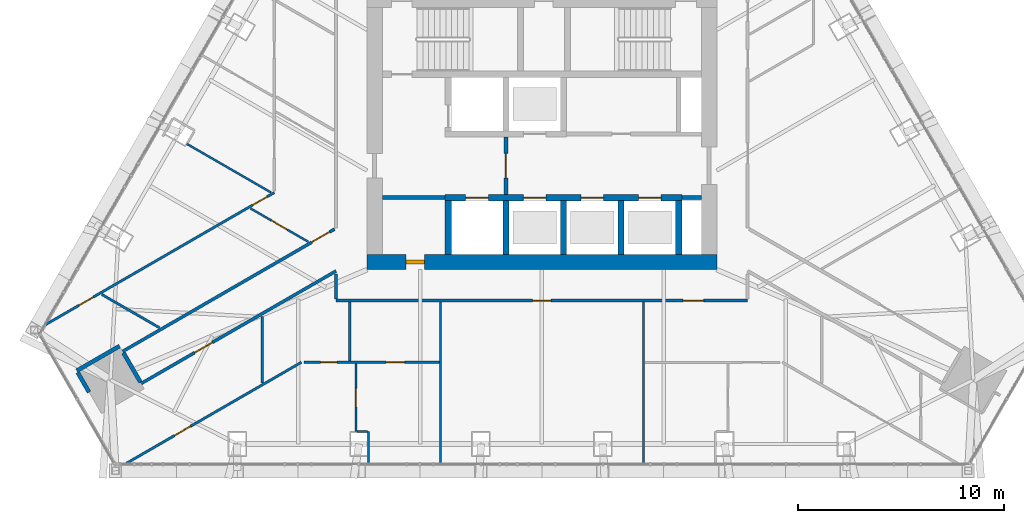
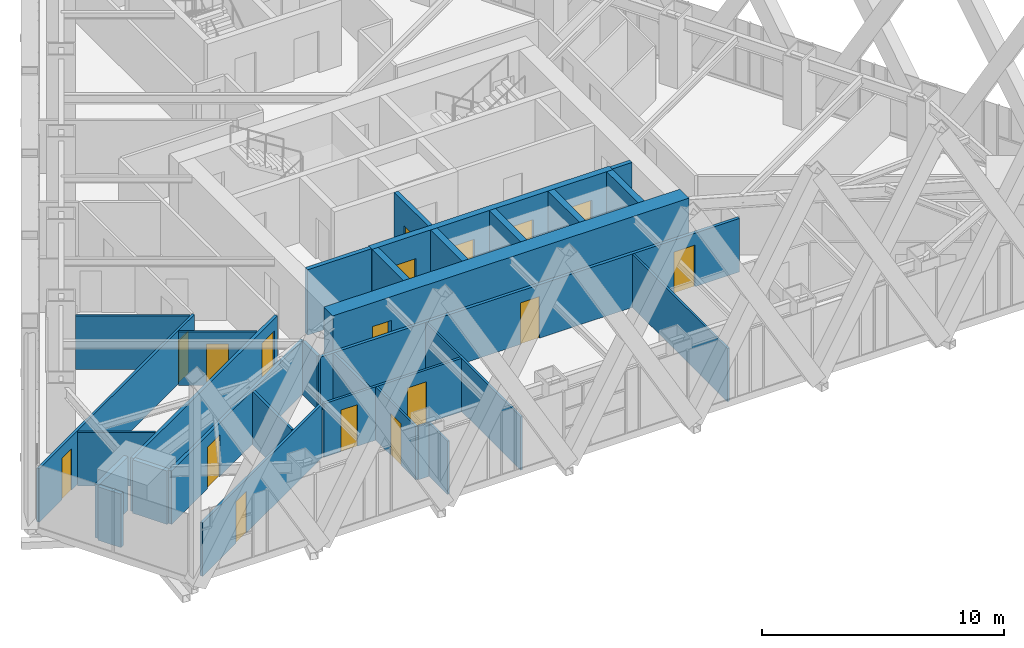
# One storey, part 18 of 23: 30 walls, 17 doors, 17 openings.
"""IFC4 building model written with IfcOpenShell, lengths in metres."""

import ifcopenshell
import ifcopenshell.guid

model = None  # the IFC model being written
_history = None  # IfcOwnerHistory: only IFC2X3 demands one
_inside = {}  # id of a spatial element -> (the spatial element, [elements in it])
_under = {}  # id of a project, library or spatial element -> (it, [spatial elements below it])
_declared = {}  # id of a project -> (the project, [libraries it declares])
_typed = {}  # id of a type object -> (the type object, [elements of that type])
_made_of = {}  # id of a material, layer set ... -> (it, [elements and type objects made of it])


def new_model(schema):
    """Start an empty IFC model of exactly this schema.

    Asked for "IFC4X3", IfcOpenShell would pick the latest addendum, in which some entities
    have other attributes; the version numbers below select the first issue.
    IFC2X3 requires an IfcOwnerHistory on every rooted entity: one is made here for all.
    """
    global model, _history
    if schema == "IFC4X3":
        model = ifcopenshell.file(schema_version=(4, 3, 0, 0))
    else:
        model = ifcopenshell.file(schema=schema)
    _inside.clear()
    _under.clear()
    _declared.clear()
    _typed.clear()
    _made_of.clear()
    _history = None
    if model.schema == "IFC2X3":
        org = make("IfcOrganization", Name="unknown")
        user = make(
            "IfcPersonAndOrganization",
            ThePerson=make("IfcPerson", FamilyName="unknown"),
            TheOrganization=org,
        )
        app = make(
            "IfcApplication",
            ApplicationDeveloper=org,
            Version="unknown",
            ApplicationFullName="unknown",
            ApplicationIdentifier="unknown",
        )
        _history = make(
            "IfcOwnerHistory",
            OwningUser=user,
            OwningApplication=app,
            ChangeAction="ADDED",
            CreationDate=0,
        )
    return model


def make(cls, **values):
    """One entity of the class cls with the attributes given. An attribute that is None is left unset."""
    return model.create_entity(
        cls, **{name: value for name, value in values.items() if value is not None}
    )


def rooted(cls, **values):
    """An entity with a GlobalId (a new one), such as an element, a storey or a relation."""
    return make(cls, GlobalId=ifcopenshell.guid.new(), OwnerHistory=_history, **values)


def si_unit(unit_type, name, prefix=None):
    """IfcSIUnit, for example si_unit("LENGTHUNIT", "METRE", prefix="MILLI")."""
    return make("IfcSIUnit", UnitType=unit_type, Prefix=prefix, Name=name)


def assignment(units):
    """IfcUnitAssignment: the units of a project."""
    return None if units is None else make("IfcUnitAssignment", Units=units)


def point(xyz):
    """IfcCartesianPoint."""
    return None if xyz is None else make("IfcCartesianPoint", Coordinates=xyz)


def direction(xyz):
    """IfcDirection."""
    return None if xyz is None else make("IfcDirection", DirectionRatios=xyz)


def frame(location, z_axis=None, x_axis=None):
    """IfcAxis2Placement3D, a coordinate frame: its origin and axes. An axis left out is left unset."""
    return make(
        "IfcAxis2Placement3D",
        Location=point(location),
        Axis=direction(z_axis),
        RefDirection=direction(x_axis),
    )


def frame_2d(location, x_axis=None):
    """IfcAxis2Placement2D, a coordinate frame in the plane: its origin and x axis."""
    return make(
        "IfcAxis2Placement2D", Location=point(location), RefDirection=direction(x_axis)
    )


def origin():
    """The frame at (0, 0, 0) with its axes left unset."""
    return frame((0.0, 0.0, 0.0))


def place(relative_to, where):
    """IfcLocalPlacement: puts the frame where relative to a parent placement (None: the world)."""
    return make(
        "IfcLocalPlacement", PlacementRelTo=relative_to, RelativePlacement=where
    )


def context(
    kind, dimensions, precision=None, world=None, true_north=None, identifier=None
):
    """IfcGeometricRepresentationContext, for example the 3D "Model" context."""
    return make(
        "IfcGeometricRepresentationContext",
        ContextIdentifier=identifier,
        ContextType=kind,
        CoordinateSpaceDimension=dimensions,
        Precision=precision,
        WorldCoordinateSystem=world,
        TrueNorth=true_north,
    )


def subcontext(parent, identifier, kind, view, scale=None):
    """IfcGeometricRepresentationSubContext, for example "Body" below "Model"."""
    return make(
        "IfcGeometricRepresentationSubContext",
        ContextIdentifier=identifier,
        ContextType=kind,
        ParentContext=parent,
        TargetScale=scale,
        TargetView=view,
    )


def project(units=None, contexts=None):
    """IfcProject with its units and contexts."""
    return rooted(
        "IfcProject",
        Name="project",
        RepresentationContexts=contexts,
        UnitsInContext=assignment(units),
    )


def spatial(cls, under=None, at=None, **own):
    """A site, building, storey or space (cls), placed at a placement, below another one or the project."""
    s = rooted(cls, ObjectPlacement=at, **own)
    if under is not None:
        _under.setdefault(under.id(), (under, []))[1].append(s)
    return s


def profile(cls, at=None, kind="AREA", **sizes):
    """A parametric profile (cls). Its sizes go by their IFC names, for example OverallWidth=200.0."""
    return make(cls, ProfileType=kind, Position=at, **sizes)


def rectangle(**sizes):
    """IfcRectangleProfileDef."""
    return profile("IfcRectangleProfileDef", **sizes)


def extrude(swept, where, along, depth):
    """IfcExtrudedAreaSolid: the profile swept, set in the frame where, extruded along a direction by depth."""
    return make(
        "IfcExtrudedAreaSolid",
        SweptArea=swept,
        Position=where,
        ExtrudedDirection=direction(along),
        Depth=depth,
    )


def shape(context_of_items, identifier, shape_type, items):
    """IfcShapeRepresentation: the items that make up one representation, for example the "Body"."""
    return make(
        "IfcShapeRepresentation",
        ContextOfItems=context_of_items,
        RepresentationIdentifier=identifier,
        RepresentationType=shape_type,
        Items=items,
    )


def material(Name=None, Category=None):
    """IfcMaterial."""
    return make("IfcMaterial", Name=Name, Category=Category)


def layer(
    of_material, thickness, ventilated=None, Name=None, Category=None, Priority=None
):
    """IfcMaterialLayer: one layer of a wall or slab, of a material (None: an air gap)."""
    return make(
        "IfcMaterialLayer",
        Material=of_material,
        LayerThickness=thickness,
        IsVentilated=ventilated,
        Name=Name,
        Category=Category,
        Priority=Priority,
    )


def layer_set(layers, Name=None):
    """IfcMaterialLayerSet."""
    return make("IfcMaterialLayerSet", MaterialLayers=layers, LayerSetName=Name)


def made_of(thing, what):
    """Note that an element or type object is made of a material, layer set ...; save() writes the relation."""
    if what is not None:
        _made_of.setdefault(what.id(), (what, []))[1].append(thing)
    return thing


def type_object(cls, material=None, **own):
    """A type object (cls), such as IfcWallType, which elements share."""
    return made_of(rooted(cls, **own), material)


def element(
    cls,
    number,
    at=None,
    inside=None,
    cuts=None,
    type_object=None,
    material=None,
    context=None,
    identifier="Body",
    shape_type=None,
    held_by="IfcProductDefinitionShape",
    body=None,
    shapes=None,
    **own,
):
    """One element of the class cls, such as IfcWall. Its Tag is "e" and its number.

    at: its placement. inside: the storey or other place that contains it. cuts: it is an
    opening in that element (IfcRelVoidsElement). A single representation is given by context,
    identifier, shape_type and body (its items); several are given by shapes. held_by: the class
    of the entity that holds the representations. save() writes the other relations.
    """
    e = rooted(cls, Tag="e%d" % number, ObjectPlacement=at, **own)
    if body is not None:
        shapes = [shape(context, identifier, shape_type, body)]
    if shapes is not None:
        e.Representation = make(held_by, Representations=shapes)
    if inside is not None:
        _inside.setdefault(inside.id(), (inside, []))[1].append(e)
    if cuts is not None:
        rooted(
            "IfcRelVoidsElement", RelatingBuildingElement=cuts, RelatedOpeningElement=e
        )
    if type_object is not None:
        _typed.setdefault(type_object.id(), (type_object, []))[1].append(e)
    return made_of(e, material)


def fill(opening, filler):
    """IfcRelFillsElement: the door or window that sits in an opening."""
    return rooted(
        "IfcRelFillsElement",
        RelatingOpeningElement=opening,
        RelatedBuildingElement=filler,
    )


def aggregate(whole, parts):
    """IfcRelAggregates: a whole, such as a stair, and the parts it consists of."""
    return rooted("IfcRelAggregates", RelatingObject=whole, RelatedObjects=parts)


def save(model, path):
    """Write the relations noted so far, then the file.

    IfcRelAggregates (storeys below a building ...), IfcRelContainedInSpatialStructure (elements
    in a storey), IfcRelDefinesByType, IfcRelAssociatesMaterial and IfcRelDeclares: one each for
    every whole, place, type object, material and project.
    """
    for whole, parts in _under.values():
        aggregate(whole, parts)
    for where, things in _inside.values():
        rooted(
            "IfcRelContainedInSpatialStructure",
            RelatedElements=things,
            RelatingStructure=where,
        )
    for kind, things in _typed.values():
        rooted("IfcRelDefinesByType", RelatedObjects=things, RelatingType=kind)
    for what, things in _made_of.values():
        rooted("IfcRelAssociatesMaterial", RelatedObjects=things, RelatingMaterial=what)
    for by, libraries in _declared.values():
        rooted("IfcRelDeclares", RelatingContext=by, RelatedDefinitions=libraries)
    model.write(path)


model = new_model("IFC4")

# Units and contexts
model_context = context("Model", 3, precision=1e-05, world=origin(), true_north=direction((0.0, 1.0)))
body_context = subcontext(model_context, "Body", "Model", "MODEL_VIEW")
ifc_project = project(units=[si_unit("LENGTHUNIT", "METRE"), si_unit("AREAUNIT", "SQUARE_METRE"), si_unit("VOLUMEUNIT", "CUBIC_METRE"), si_unit("PLANEANGLEUNIT", "RADIAN"), si_unit("MASSUNIT", "GRAM", prefix="KILO")], contexts=[model_context])

# Site, building, storey
site_placement = place(None, origin())
site = spatial("IfcSite", under=ifc_project, at=site_placement, CompositionType="ELEMENT")
building_placement = place(site_placement, origin())
building = spatial("IfcBuilding", under=site, at=building_placement, Name="Firuza Gate Tower and Library", CompositionType="ELEMENT")
storey_placement = place(building_placement, frame((0.0, 0.0, 312.60009765625)))
storey = spatial("IfcBuildingStorey", under=building, at=storey_placement, Name="L76", CompositionType="ELEMENT", Elevation=312.60009765625)

# Walls
ifc_material_1 = material(Name="Plasterboard on steel studs", Category="steel")
ifc_layer_1 = layer(ifc_material_1, 0.199951171875)
ifc_layer_set_1 = layer_set([ifc_layer_1], Name="Core partition 200 EI 120")
wall_type_1 = type_object("IfcWallType", Name="Core partition 200 EI 120", PredefinedType="PARTITIONING", material=ifc_layer_set_1)
wall_1_placement = place(storey_placement, frame((81.800048828125, 71.75, 0.0), z_axis=(0.0, 0.0, 1.0), x_axis=(1.0, 0.0, 0.0)))
element("IfcWall", 1, at=wall_1_placement, inside=storey, type_object=wall_type_1, Name="Core partition L76 2", PredefinedType="PARTITIONING", context=body_context, shape_type="SweptSolid", body=[
    extrude(rectangle(XDim=0.949951171875, YDim=0.199951171875, at=frame_2d((0.47509765625, 0.0))), origin(), (0.0, 0.0, 1.0), 3.2998046875),
])
ifc_material_2 = material(Name="Plasterboard on steel studs", Category="steel")
ifc_layer_2 = layer(ifc_material_2, 0.199951171875)
ifc_layer_set_2 = layer_set([ifc_layer_2], Name="Core partition 200 EI 60")
wall_type_2 = type_object("IfcWallType", Name="Core partition 200 EI 60", PredefinedType="PARTITIONING", material=ifc_layer_set_2)
wall_2_placement = place(storey_placement, frame((67.25, 71.75, 0.0), z_axis=(0.0, 0.0, 1.0), x_axis=(1.0, 0.0, 0.0)))
element("IfcWall", 2, at=wall_2_placement, inside=storey, type_object=wall_type_2, Name="Core partition L76 1", PredefinedType="PARTITIONING", context=body_context, shape_type="SweptSolid", body=[
    extrude(rectangle(XDim=3.050048828125, YDim=0.199951171875, at=frame_2d((1.52490234375, 0.0))), origin(), (0.0, 0.0, 1.0), 3.2998046875),
])

# Wall, opening, door
wall_3_placement = place(storey_placement, frame((73.25, 71.89990234375, 0.0), z_axis=(0.0, 0.0, 1.0), x_axis=(0.0, 1.0, 0.0)))
wall_3 = element("IfcWall", 3, at=wall_3_placement, inside=storey, type_object=wall_type_2, Name="Core partition L76 4", PredefinedType="PARTITIONING", context=body_context, shape_type="SweptSolid", body=[
    extrude(rectangle(XDim=2.800048828125, YDim=0.199951171875, at=frame_2d((1.39990234375, 0.0))), origin(), (0.0, 0.0, 1.0), 3.2998046875),
])
opening_1_placement = place(wall_3_placement, frame((0.800048828125, 0.0, 0.0)))
opening_1 = element("IfcOpeningElement", 4, at=opening_1_placement, cuts=wall_3, Name="Opening L76-K14", PredefinedType="OPENING", context=body_context, shape_type="SweptSolid", body=[
    extrude(rectangle(XDim=1.199951171875, YDim=2.10009765625, at=frame_2d((0.60009765625, 1.050048828125))), frame((0.0, 0.10986328125, 0.0), z_axis=(0.0, -1.0, 0.0), x_axis=(1.0, 0.0, 0.0)), (0.0, 0.0, 1.0), 0.219970703125),
])
ifc_material_3 = material(Name="Steel", Category="steel")
door_type_1 = type_object("IfcDoorType", Name="Fire door 1200x2100 FD90S", OperationType="NOTDEFINED", PredefinedType="DOOR", material=ifc_material_3)
door_1_placement = place(opening_1_placement, origin())
door_1 = element("IfcDoor", 5, at=door_1_placement, inside=storey, type_object=door_type_1, Name="Door L76-K14", OperationType="SINGLE_SWING_LEFT", OverallHeight=2.10009765625, OverallWidth=1.199951171875, PredefinedType="DOOR", context=body_context, shape_type="SweptSolid", body=[
    extrude(rectangle(XDim=1.199951171875, YDim=2.10009765625, at=frame_2d((0.60009765625, 1.050048828125))), frame((0.0, 0.02490234375, 0.0), z_axis=(0.0, -1.0, 0.0), x_axis=(1.0, 0.0, 0.0)), (0.0, 0.0, 1.0), 0.050048828125),
])
fill(opening_1, door_1)

# Wall, openings, doors
ifc_material_4 = material(Name="Concrete C60/75", Category="concrete")
ifc_layer_3 = layer(ifc_material_4, 0.300048828125)
ifc_layer_set_3 = layer_set([ifc_layer_3], Name="Core wall 300 C60/75")
wall_type_3 = type_object("IfcWallType", Name="Core wall 300 C60/75", PredefinedType="SHEAR", material=ifc_layer_set_3)
wall_4_placement = place(storey_placement, frame((70.300048828125, 71.75, 0.0), z_axis=(0.0, 0.0, 1.0), x_axis=(1.0, 0.0, 0.0)))
wall_4 = element("IfcWall", 6, at=wall_4_placement, inside=storey, type_object=wall_type_3, Name="Core wall L76 5", PredefinedType="SHEAR", context=body_context, shape_type="SweptSolid", body=[
    extrude(rectangle(XDim=11.5, YDim=0.300048828125, at=frame_2d((5.75, 0.0))), origin(), (0.0, 0.0, 1.0), 3.2998046875),
])
opening_2_placement = place(wall_4_placement, frame((1.0, 0.0, 0.0)))
opening_2 = element("IfcOpeningElement", 7, at=opening_2_placement, cuts=wall_4, Name="Opening LD-FF1-L76", PredefinedType="OPENING", context=body_context, shape_type="SweptSolid", body=[
    extrude(rectangle(XDim=1.10009765625, YDim=2.10009765625, at=frame_2d((0.550048828125, 1.050048828125))), frame((0.0, 0.16015625, 0.0), z_axis=(0.0, -1.0, 0.0), x_axis=(1.0, 0.0, 0.0)), (0.0, 0.0, 1.0), 0.320068359375),
])
opening_3_placement = place(wall_4_placement, frame((3.800048828125, 0.0, 0.0)))
opening_3 = element("IfcOpeningElement", 8, at=opening_3_placement, cuts=wall_4, Name="Opening LD-HR1-L76", PredefinedType="OPENING", context=body_context, shape_type="SweptSolid", body=[
    extrude(rectangle(XDim=1.10009765625, YDim=2.10009765625, at=frame_2d((0.550048828125, 1.050048828125))), frame((0.0, 0.16015625, 0.0), z_axis=(0.0, -1.0, 0.0), x_axis=(1.0, 0.0, 0.0)), (0.0, 0.0, 1.0), 0.320068359375),
])
opening_4_placement = place(wall_4_placement, frame((6.60009765625, 0.0, 0.0)))
opening_4 = element("IfcOpeningElement", 9, at=opening_4_placement, cuts=wall_4, Name="Opening LD-HR2-L76", PredefinedType="OPENING", context=body_context, shape_type="SweptSolid", body=[
    extrude(rectangle(XDim=1.10009765625, YDim=2.10009765625, at=frame_2d((0.550048828125, 1.050048828125))), frame((0.0, 0.16015625, 0.0), z_axis=(0.0, -1.0, 0.0), x_axis=(1.0, 0.0, 0.0)), (0.0, 0.0, 1.0), 0.320068359375),
])
opening_5_placement = place(wall_4_placement, frame((9.39990234375, 0.0, 0.0)))
opening_5 = element("IfcOpeningElement", 10, at=opening_5_placement, cuts=wall_4, Name="Opening LD-HR3-L76", PredefinedType="OPENING", context=body_context, shape_type="SweptSolid", body=[
    extrude(rectangle(XDim=1.10009765625, YDim=2.10009765625, at=frame_2d((0.550048828125, 1.050048828125))), frame((0.0, 0.16015625, 0.0), z_axis=(0.0, -1.0, 0.0), x_axis=(1.0, 0.0, 0.0)), (0.0, 0.0, 1.0), 0.320068359375),
])
ifc_material_5 = material(Name="Stainless steel", Category="steel")
door_type_2 = type_object("IfcDoorType", Name="Lift landing door 1100x2100", OperationType="DOUBLE_DOOR_SLIDING", PredefinedType="DOOR", material=ifc_material_5)
door_2_placement = place(opening_2_placement, origin())
door_2 = element("IfcDoor", 11, at=door_2_placement, inside=storey, type_object=door_type_2, Name="Landing door FF1 L76", OperationType="DOUBLE_DOOR_SLIDING", OverallHeight=2.10009765625, OverallWidth=1.10009765625, PredefinedType="DOOR", context=body_context, shape_type="SweptSolid", body=[
    extrude(rectangle(XDim=1.10009765625, YDim=2.10009765625, at=frame_2d((0.550048828125, 1.050048828125))), frame((0.0, 0.02490234375, 0.0), z_axis=(0.0, -1.0, 0.0), x_axis=(1.0, 0.0, 0.0)), (0.0, 0.0, 1.0), 0.050048828125),
])
fill(opening_2, door_2)
door_3_placement = place(opening_3_placement, origin())
door_3 = element("IfcDoor", 12, at=door_3_placement, inside=storey, type_object=door_type_2, Name="Landing door HR1 L76", OperationType="DOUBLE_DOOR_SLIDING", OverallHeight=2.10009765625, OverallWidth=1.10009765625, PredefinedType="DOOR", context=body_context, shape_type="SweptSolid", body=[
    extrude(rectangle(XDim=1.10009765625, YDim=2.10009765625, at=frame_2d((0.550048828125, 1.050048828125))), frame((0.0, 0.02490234375, 0.0), z_axis=(0.0, -1.0, 0.0), x_axis=(1.0, 0.0, 0.0)), (0.0, 0.0, 1.0), 0.050048828125),
])
fill(opening_3, door_3)
door_4_placement = place(opening_4_placement, origin())
door_4 = element("IfcDoor", 13, at=door_4_placement, inside=storey, type_object=door_type_2, Name="Landing door HR2 L76", OperationType="DOUBLE_DOOR_SLIDING", OverallHeight=2.10009765625, OverallWidth=1.10009765625, PredefinedType="DOOR", context=body_context, shape_type="SweptSolid", body=[
    extrude(rectangle(XDim=1.10009765625, YDim=2.10009765625, at=frame_2d((0.550048828125, 1.050048828125))), frame((0.0, 0.02490234375, 0.0), z_axis=(0.0, -1.0, 0.0), x_axis=(1.0, 0.0, 0.0)), (0.0, 0.0, 1.0), 0.050048828125),
])
fill(opening_4, door_4)
door_5_placement = place(opening_5_placement, origin())
door_5 = element("IfcDoor", 14, at=door_5_placement, inside=storey, type_object=door_type_2, Name="Landing door HR3 L76", OperationType="DOUBLE_DOOR_SLIDING", OverallHeight=2.10009765625, OverallWidth=1.10009765625, PredefinedType="DOOR", context=body_context, shape_type="SweptSolid", body=[
    extrude(rectangle(XDim=1.10009765625, YDim=2.10009765625, at=frame_2d((0.550048828125, 1.050048828125))), frame((0.0, 0.02490234375, 0.0), z_axis=(0.0, -1.0, 0.0), x_axis=(1.0, 0.0, 0.0)), (0.0, 0.0, 1.0), 0.050048828125),
])
fill(opening_5, door_5)

# Walls
for number, where, z_axis, x_axis, name in (
    (15, (70.449951171875, 69.0, 0.0), (0.0, 0.0, 1.0), (0.0, 1.0, 0.0), "Core wall L76 7"),
    (16, (73.25, 69.0, 0.0), (0.0, 0.0, 1.0), (0.0, 1.0, 0.0), "Core wall L76 9"),
    (17, (76.050048828125, 69.0, 0.0), (0.0, 0.0, 1.0), (0.0, 1.0, 0.0), "Core wall L76 11"),
    (18, (78.85009765625, 69.0, 0.0), (0.0, 0.0, 1.0), (0.0, 1.0, 0.0), "Core wall L76 13"),
    (19, (81.64990234375, 69.0, 0.0), (0.0, 0.0, 1.0), (0.0, 1.0, 0.0), "Core wall L76 14"),
):
    element("IfcWall", number, at=place(storey_placement, frame(where, z_axis=z_axis, x_axis=x_axis)), inside=storey, type_object=wall_type_3, Name=name, PredefinedType="SHEAR", context=body_context, shape_type="SweptSolid", body=[
        extrude(rectangle(XDim=2.60009765625, YDim=0.300048828125, at=frame_2d((1.300048828125, 0.0))), origin(), (0.0, 0.0, 1.0), 3.2998046875),
    ])

# Wall, opening, door
ifc_material_6 = material(Name="Concrete C60/75", Category="concrete")
ifc_layer_4 = layer(ifc_material_6, 0.75)
ifc_layer_set_4 = layer_set([ifc_layer_4], Name="Core wall 750 C60/75")
wall_type_4 = type_object("IfcWallType", Name="Core wall 750 C60/75", PredefinedType="SHEAR", material=ifc_layer_set_4)
wall_5_placement = place(storey_placement, frame((66.5, 68.625, 0.0), z_axis=(0.0, 0.0, 1.0), x_axis=(1.0, 0.0, 0.0)))
wall_5 = element("IfcWall", 20, at=wall_5_placement, inside=storey, type_object=wall_type_4, Name="Core wall L76 1", PredefinedType="SHEAR", context=body_context, shape_type="SweptSolid", body=[
    extrude(rectangle(XDim=17.0, YDim=0.75, at=frame_2d((8.5, 0.0))), origin(), (0.0, 0.0, 1.0), 3.2998046875),
])
opening_6_placement = place(wall_5_placement, frame((1.89990234375, 0.0, 0.0)))
opening_6 = element("IfcOpeningElement", 21, at=opening_6_placement, cuts=wall_5, Name="Opening L76-K17", PredefinedType="OPENING", context=body_context, shape_type="SweptSolid", body=[
    extrude(rectangle(XDim=0.89990234375, YDim=2.10009765625, at=frame_2d((0.449951171875, 1.050048828125))), frame((0.0, 0.385009765625, 0.0), z_axis=(0.0, -1.0, 0.0), x_axis=(1.0, 0.0, 0.0)), (0.0, 0.0, 1.0), 0.77001953125),
])
ifc_material_7 = material(Name="Steel", Category="steel")
door_type_3 = type_object("IfcDoorType", Name="Fire door 900x2100 FD30S", OperationType="NOTDEFINED", PredefinedType="DOOR", material=ifc_material_7)
door_6_placement = place(opening_6_placement, origin())
door_6 = element("IfcDoor", 22, at=door_6_placement, inside=storey, type_object=door_type_3, Name="Door L76-K17", OperationType="SINGLE_SWING_RIGHT", OverallHeight=2.10009765625, OverallWidth=0.89990234375, PredefinedType="DOOR", context=body_context, shape_type="SweptSolid", body=[
    extrude(rectangle(XDim=0.89990234375, YDim=2.10009765625, at=frame_2d((0.449951171875, 1.050048828125))), frame((0.0, 0.094970703125, 0.0), z_axis=(0.0, -1.0, 0.0), x_axis=(1.0, 0.0, 0.0)), (0.0, 0.0, 1.0), 0.18994140625),
])
fill(opening_6, door_6)

# Wall, openings, doors
ifc_material_8 = material(Name="Gypsum board partition")
ifc_layer_5 = layer(ifc_material_8, 0.14990234375)
ifc_layer_set_5 = layer_set([ifc_layer_5], Name="Corridor wall 150 double board on steel studs")
wall_type_5 = type_object("IfcWallType", Name="Corridor wall 150 double board on steel studs", PredefinedType="PARTITIONING", material=ifc_layer_set_5)
wall_6_placement = place(storey_placement, frame((85.0, 66.75, 0.0), z_axis=(0.0, 0.0, 1.0), x_axis=(-1.0, 0.0, 0.0)))
wall_6 = element("IfcWall", 23, at=wall_6_placement, inside=storey, type_object=wall_type_5, Name="f:L76:w004", PredefinedType="PARTITIONING", context=body_context, shape_type="SweptSolid", body=[
    extrude(rectangle(XDim=20.0, YDim=0.14990234375, at=frame_2d((10.0, 0.0))), origin(), (0.0, 0.0, 1.0), 2.699951171875),
])
opening_7_placement = place(wall_6_placement, frame((2.134765625, 0.0, 0.0)))
opening_7 = element("IfcOpeningElement", 24, at=opening_7_placement, cuts=wall_6, Name="Opening L76-04", PredefinedType="OPENING", context=body_context, shape_type="SweptSolid", body=[
    extrude(rectangle(XDim=1.0, YDim=2.10009765625, at=frame_2d((0.5, 1.050048828125))), frame((0.0, 0.0849609375, 0.0), z_axis=(0.0, -1.0, 0.0), x_axis=(1.0, 0.0, 0.0)), (0.0, 0.0, 1.0), 0.169921875),
])
opening_8_placement = place(wall_6_placement, frame((9.550048828125, 0.0, 0.0)))
opening_8 = element("IfcOpeningElement", 25, at=opening_8_placement, cuts=wall_6, Name="Opening L76-05", PredefinedType="OPENING", context=body_context, shape_type="SweptSolid", body=[
    extrude(rectangle(XDim=0.89990234375, YDim=2.10009765625, at=frame_2d((0.449951171875, 1.050048828125))), frame((0.0, 0.0849609375, 0.0), z_axis=(0.0, -1.0, 0.0), x_axis=(1.0, 0.0, 0.0)), (0.0, 0.0, 1.0), 0.169921875),
])
ifc_material_9 = material(Name="Steel door and timber leaf", Category="steel")
door_type_4 = type_object("IfcDoorType", Name="Fire door 1000 x 2100 steel frame, timber leaf", OperationType="NOTDEFINED", PredefinedType="DOOR", material=ifc_material_9)
door_7_placement = place(opening_7_placement, origin())
door_7 = element("IfcDoor", 26, at=door_7_placement, inside=storey, type_object=door_type_4, Name="f:L76:d004", OperationType="SINGLE_SWING_LEFT", OverallHeight=2.10009765625, OverallWidth=1.0, PredefinedType="DOOR", context=body_context, shape_type="SweptSolid", body=[
    extrude(rectangle(XDim=1.0, YDim=2.10009765625, at=frame_2d((0.5, 1.050048828125))), frame((0.0, 0.02490234375, 0.0), z_axis=(0.0, -1.0, 0.0), x_axis=(1.0, 0.0, 0.0)), (0.0, 0.0, 1.0), 0.050048828125),
])
fill(opening_7, door_7)
ifc_material_10 = material(Name="Steel door and timber leaf", Category="steel")
door_type_5 = type_object("IfcDoorType", Name="Fire door 900 x 2100 steel frame, timber leaf", OperationType="NOTDEFINED", PredefinedType="DOOR", material=ifc_material_10)
door_8_placement = place(opening_8_placement, origin())
door_8 = element("IfcDoor", 27, at=door_8_placement, inside=storey, type_object=door_type_5, Name="f:L76:d005", OperationType="SINGLE_SWING_LEFT", OverallHeight=2.10009765625, OverallWidth=0.89990234375, PredefinedType="DOOR", context=body_context, shape_type="SweptSolid", body=[
    extrude(rectangle(XDim=0.89990234375, YDim=2.10009765625, at=frame_2d((0.449951171875, 1.050048828125))), frame((0.0, 0.02490234375, 0.0), z_axis=(0.0, -1.0, 0.0), x_axis=(1.0, 0.0, 0.0)), (0.0, 0.0, 1.0), 0.050048828125),
])
fill(opening_8, door_8)

# Wall, opening, door
wall_7_placement = place(storey_placement, frame((65.0, 68.187255859375, 0.0), z_axis=(0.0, 0.0, 1.0), x_axis=(-0.866028339337, -0.499994915439, 0.0)))
wall_7 = element("IfcWall", 28, at=wall_7_placement, inside=storey, type_object=wall_type_5, Name="f:L76:w016", PredefinedType="PARTITIONING", context=body_context, shape_type="SweptSolid", body=[
    extrude(rectangle(XDim=10.9365234375, YDim=0.14990234375, at=frame_2d((5.46826171875, 0.0))), origin(), (0.0, 0.0, 1.0), 2.697021484375),
])
opening_9_placement = place(wall_7_placement, frame((6.943359375, 0.0, 0.0)))
opening_9 = element("IfcOpeningElement", 29, at=opening_9_placement, cuts=wall_7, Name="Opening L76-10", PredefinedType="OPENING", context=body_context, shape_type="SweptSolid", body=[
    extrude(rectangle(XDim=1.0, YDim=2.10009765625, at=frame_2d((0.5, 1.050048828125))), frame((0.0, 0.0849609375, 0.0), z_axis=(0.0, -1.0, 0.0), x_axis=(1.0, 0.0, 0.0)), (0.0, 0.0, 1.0), 0.169921875),
])
door_9_placement = place(opening_9_placement, origin())
door_9 = element("IfcDoor", 30, at=door_9_placement, inside=storey, type_object=door_type_4, Name="f:L76:d010", OperationType="SINGLE_SWING_LEFT", OverallHeight=2.10009765625, OverallWidth=1.0, PredefinedType="DOOR", context=body_context, shape_type="SweptSolid", body=[
    extrude(rectangle(XDim=1.0, YDim=2.10009765625, at=frame_2d((0.5, 1.050048828125))), frame((0.0, 0.02490234375, 0.0), z_axis=(0.0, -1.0, 0.0), x_axis=(1.0, 0.0, 0.0)), (0.0, 0.0, 1.0), 0.050048828125),
])
fill(opening_9, door_9)

wall_8_placement = place(storey_placement, frame((54.6279296875, 64.277587890625, 0.0), z_axis=(0.0, 0.0, 1.0), x_axis=(0.866033426221, 0.499986104476, 0.0)))
wall_8 = element("IfcWall", 31, at=wall_8_placement, inside=storey, type_object=wall_type_5, Name="f:L76:w017", PredefinedType="PARTITIONING", context=body_context, shape_type="SweptSolid", body=[
    extrude(rectangle(XDim=11.889892578125, YDim=0.14990234375, at=frame_2d((5.94482421875, 0.0))), origin(), (0.0, 0.0, 1.0), 2.699951171875),
])
opening_10_placement = place(wall_8_placement, frame((10.611572265625, 0.0, 0.0)))
opening_10 = element("IfcOpeningElement", 32, at=opening_10_placement, cuts=wall_8, Name="Opening L76-11", PredefinedType="OPENING", context=body_context, shape_type="SweptSolid", body=[
    extrude(rectangle(XDim=1.0, YDim=2.10009765625, at=frame_2d((0.5, 1.050048828125))), frame((0.0, 0.0849609375, 0.0), z_axis=(0.0, -1.0, 0.0), x_axis=(1.0, 0.0, 0.0)), (0.0, 0.0, 1.0), 0.169921875),
])
door_10_placement = place(opening_10_placement, origin())
door_10 = element("IfcDoor", 33, at=door_10_placement, inside=storey, type_object=door_type_4, Name="f:L76:d011", OperationType="SINGLE_SWING_RIGHT", OverallHeight=2.10009765625, OverallWidth=1.0, PredefinedType="DOOR", context=body_context, shape_type="SweptSolid", body=[
    extrude(rectangle(XDim=1.0, YDim=2.10009765625, at=frame_2d((0.5, 1.050048828125))), frame((0.0, 0.02490234375, 0.0), z_axis=(0.0, -1.0, 0.0), x_axis=(1.0, 0.0, 0.0)), (0.0, 0.0, 1.0), 0.050048828125),
])
fill(opening_10, door_10)

# Walls
wall_9_placement = place(storey_placement, frame((65.0, 66.824951171875, 0.0), z_axis=(0.0, 0.0, 1.0), x_axis=(0.0, 1.0, 0.0)))
element("IfcWall", 34, at=wall_9_placement, inside=storey, type_object=wall_type_5, Name="f:L76:w045", PredefinedType="PARTITIONING", context=body_context, shape_type="SweptSolid", body=[
    extrude(rectangle(XDim=1.225830078125, YDim=0.14990234375, at=frame_2d((0.61279296875, 0.0))), origin(), (0.0, 0.0, 1.0), 2.697021484375),
])
ifc_material_11 = material(Name="Gypsum board partition")
ifc_layer_6 = layer(ifc_material_11, 0.199951171875)
ifc_layer_set_6 = layer_set([ifc_layer_6], Name="Demising wall 200 acoustic double stud")
wall_type_6 = type_object("IfcWallType", Name="Demising wall 200 acoustic double stud", PredefinedType="PARTITIONING", material=ifc_layer_set_6)
wall_10_placement = place(storey_placement, frame((52.399658203125, 63.33740234375, 0.0), z_axis=(0.0, 0.0, 1.0), x_axis=(0.866024647952, 0.500001309137, 0.0)))
element("IfcWall", 35, at=wall_10_placement, inside=storey, type_object=wall_type_6, Name="f:L76:w019", PredefinedType="PARTITIONING", context=body_context, shape_type="SweptSolid", body=[
    extrude(rectangle(XDim=2.39990234375, YDim=0.199951171875, at=frame_2d((1.199951171875, 0.0))), origin(), (0.0, 0.0, 1.0), 2.699951171875),
])
wall_11_placement = place(storey_placement, frame((55.490234375, 62.783935546875, 0.0), z_axis=(0.0, 0.0, 1.0), x_axis=(-0.499970888758, 0.866042210515, 0.0)))
element("IfcWall", 36, at=wall_11_placement, inside=storey, type_object=wall_type_6, Name="f:L76:w049", PredefinedType="PARTITIONING", context=body_context, shape_type="SweptSolid", body=[
    extrude(rectangle(XDim=1.64453125, YDim=0.199951171875, at=frame_2d((0.822265625, 0.0))), origin(), (0.0, 0.0, 1.0), 2.697021484375),
])
wall_12_placement = place(storey_placement, frame((52.99951171875, 62.298095703125, 0.0), z_axis=(0.0, 0.0, 1.0), x_axis=(-0.50002983664, 0.866008176907, 0.0)))
element("IfcWall", 37, at=wall_12_placement, inside=storey, type_object=wall_type_6, Name="f:L76:w050", PredefinedType="PARTITIONING", context=body_context, shape_type="SweptSolid", body=[
    extrude(rectangle(XDim=1.10009765625, YDim=0.199951171875, at=frame_2d((0.550048828125, 0.0))), origin(), (0.0, 0.0, 1.0), 2.699951171875),
])
ifc_material_12 = material(Name="Gypsum board partition")
ifc_layer_7 = layer(ifc_material_12, 0.10009765625)
ifc_layer_set_7 = layer_set([ifc_layer_7], Name="Partition 100 gypsum board on steel studs")
wall_type_7 = type_object("IfcWallType", Name="Partition 100 gypsum board on steel studs", PredefinedType="PARTITIONING", material=ifc_layer_set_7)
wall_13_placement = place(storey_placement, frame((66.019775390625, 60.3798828125, 0.0), z_axis=(0.0, 0.0, 1.0), x_axis=(1.0, 0.0, 0.0)))
element("IfcWall", 38, at=wall_13_placement, inside=storey, type_object=wall_type_7, Name="f:L76:w000", PredefinedType="PARTITIONING", context=body_context, shape_type="SweptSolid", body=[
    extrude(rectangle(XDim=0.500244140625, YDim=0.10009765625, at=frame_2d((0.25, 0.0))), origin(), (0.0, 0.0, 1.0), 2.699951171875),
])
for number, where, z_axis, x_axis, name in (
    (39, (79.93310546875, 58.8203125, 0.0), (0.0, 0.0, 1.0), (0.0, 1.0, 0.0), "f:L76:w034"),
    (40, (70.06689453125, 58.8203125, 0.0), (0.0, 0.0, 1.0), (0.0, 1.0, 0.0), "f:L76:w041"),
):
    element("IfcWall", number, at=place(storey_placement, frame(where, z_axis=z_axis, x_axis=x_axis)), inside=storey, type_object=wall_type_7, Name=name, PredefinedType="PARTITIONING", context=body_context, shape_type="SweptSolid", body=[
        extrude(rectangle(XDim=7.854736328125, YDim=0.10009765625, at=frame_2d((3.92724609375, 0.0))), origin(), (0.0, 0.0, 1.0), 2.68798828125),
    ])
wall_14_placement = place(storey_placement, frame((66.570068359375, 58.8203125, 0.0), z_axis=(0.0, 0.0, 1.0), x_axis=(0.0, 1.0, 0.0)))
element("IfcWall", 41, at=wall_14_placement, inside=storey, type_object=wall_type_7, Name="f:L76:w042", PredefinedType="PARTITIONING", context=body_context, shape_type="SweptSolid", body=[
    extrude(rectangle(XDim=1.56005859375, YDim=0.10009765625, at=frame_2d((0.780029296875, 0.0))), origin(), (0.0, 0.0, 1.0), 2.68798828125),
])

# Wall, opening, door
wall_15_placement = place(storey_placement, frame((65.9599609375, 63.68994140625, 0.0), z_axis=(0.0, 0.0, 1.0), x_axis=(0.0, -1.0, 0.0)))
wall_15 = element("IfcWall", 42, at=wall_15_placement, inside=storey, type_object=wall_type_7, Name="f:L76:w043", PredefinedType="PARTITIONING", context=body_context, shape_type="SweptSolid", body=[
    extrude(rectangle(XDim=3.3095703125, YDim=0.10009765625, at=frame_2d((1.65478515625, 0.0))), origin(), (0.0, 0.0, 1.0), 2.699951171875),
])
opening_11_placement = place(wall_15_placement, frame((1.204833984375, 0.0, 0.0)))
opening_11 = element("IfcOpeningElement", 43, at=opening_11_placement, cuts=wall_15, Name="Opening L76-19", PredefinedType="OPENING", context=body_context, shape_type="SweptSolid", body=[
    extrude(rectangle(XDim=0.89990234375, YDim=2.10009765625, at=frame_2d((0.449951171875, 1.050048828125))), frame((0.0, 0.06005859375, 0.0), z_axis=(0.0, -1.0, 0.0), x_axis=(1.0, 0.0, 0.0)), (0.0, 0.0, 1.0), 0.1201171875),
])
ifc_material_13 = material(Name="Timber door", Category="wood")
door_type_6 = type_object("IfcDoorType", Name="Door 900 x 2100 timber leaf", OperationType="NOTDEFINED", PredefinedType="DOOR", material=ifc_material_13)
door_11_placement = place(opening_11_placement, origin())
door_11 = element("IfcDoor", 44, at=door_11_placement, inside=storey, type_object=door_type_6, Name="f:L76:d019", OperationType="SINGLE_SWING_RIGHT", OverallHeight=2.10009765625, OverallWidth=0.89990234375, PredefinedType="DOOR", context=body_context, shape_type="SweptSolid", body=[
    extrude(rectangle(XDim=0.89990234375, YDim=2.10009765625, at=frame_2d((0.449951171875, 1.050048828125))), frame((0.0, 0.02490234375, 0.0), z_axis=(0.0, -1.0, 0.0), x_axis=(1.0, 0.0, 0.0)), (0.0, 0.0, 1.0), 0.050048828125),
])
fill(opening_11, door_11)

# Wall
wall_16_placement = place(storey_placement, frame((61.837158203125, 72.0029296875, 0.0), z_axis=(0.0, 0.0, 1.0), x_axis=(-0.86602790099, 0.499995674689, 0.0)))
element("IfcWall", 45, at=wall_16_placement, inside=storey, type_object=wall_type_7, Name="f:L76:w062", PredefinedType="PARTITIONING", context=body_context, shape_type="SweptSolid", body=[
    extrude(rectangle(XDim=4.71826171875, YDim=0.10009765625, at=frame_2d((2.359130859375, 0.0))), origin(), (0.0, 0.0, 1.0), 2.699951171875),
])

# Wall, opening, door
wall_17_placement = place(storey_placement, frame((63.652099609375, 69.604248046875, 0.0), z_axis=(0.0, 0.0, 1.0), x_axis=(-0.866032882975, 0.499987045439, 0.0)))
wall_17 = element("IfcWall", 46, at=wall_17_placement, inside=storey, type_object=wall_type_7, Name="f:L76:w063", PredefinedType="PARTITIONING", context=body_context, shape_type="SweptSolid", body=[
    extrude(rectangle(XDim=3.248046875, YDim=0.10009765625, at=frame_2d((1.6240234375, 0.0))), origin(), (0.0, 0.0, 1.0), 2.699951171875),
])
opening_12_placement = place(wall_17_placement, frame((1.174072265625, 0.0, 0.0)))
opening_12 = element("IfcOpeningElement", 47, at=opening_12_placement, cuts=wall_17, Name="Opening L76-27", PredefinedType="OPENING", context=body_context, shape_type="SweptSolid", body=[
    extrude(rectangle(XDim=0.89990234375, YDim=2.10009765625, at=frame_2d((0.449951171875, 1.050048828125))), frame((0.0, 0.06005859375, 0.0), z_axis=(0.0, -1.0, 0.0), x_axis=(1.0, 0.0, 0.0)), (0.0, 0.0, 1.0), 0.1201171875),
])
door_12_placement = place(opening_12_placement, origin())
door_12 = element("IfcDoor", 48, at=door_12_placement, inside=storey, type_object=door_type_6, Name="f:L76:d027", OperationType="SINGLE_SWING_RIGHT", OverallHeight=2.10009765625, OverallWidth=0.89990234375, PredefinedType="DOOR", context=body_context, shape_type="SweptSolid", body=[
    extrude(rectangle(XDim=0.89990234375, YDim=2.10009765625, at=frame_2d((0.449951171875, 1.050048828125))), frame((0.0, 0.02490234375, 0.0), z_axis=(0.0, -1.0, 0.0), x_axis=(1.0, 0.0, 0.0)), (0.0, 0.0, 1.0), 0.050048828125),
])
fill(opening_12, door_12)

# Wall, openings, doors
ifc_material_14 = material(Name="Gypsum board partition")
ifc_layer_8 = layer(ifc_material_14, 0.1201171875)
ifc_layer_set_8 = layer_set([ifc_layer_8], Name="Wet-area partition 120 moisture-resistant board")
wall_type_8 = type_object("IfcWallType", Name="Wet-area partition 120 moisture-resistant board", PredefinedType="PARTITIONING", material=ifc_layer_set_8)
wall_18_placement = place(storey_placement, frame((63.434326171875, 63.75, 0.0), z_axis=(0.0, 0.0, 1.0), x_axis=(1.0, 0.0, 0.0)))
wall_18 = element("IfcWall", 49, at=wall_18_placement, inside=storey, type_object=wall_type_8, Name="f:L76:w002", PredefinedType="PARTITIONING", context=body_context, shape_type="SweptSolid", body=[
    extrude(rectangle(XDim=6.582275390625, YDim=0.1201171875, at=frame_2d((3.291015625, 0.0))), origin(), (0.0, 0.0, 1.0), 2.699951171875),
])
opening_13_placement = place(wall_18_placement, frame((0.813720703125, 0.0, 0.0)))
opening_13 = element("IfcOpeningElement", 50, at=opening_13_placement, cuts=wall_18, Name="Opening L76-01", PredefinedType="OPENING", context=body_context, shape_type="SweptSolid", body=[
    extrude(rectangle(XDim=0.800048828125, YDim=2.10009765625, at=frame_2d((0.39990234375, 1.050048828125))), frame((0.0, 0.070068359375, 0.0), z_axis=(0.0, -1.0, 0.0), x_axis=(1.0, 0.0, 0.0)), (0.0, 0.0, 1.0), 0.14013671875),
])
opening_14_placement = place(wall_18_placement, frame((4.00244140625, 0.0, 0.0)))
opening_14 = element("IfcOpeningElement", 51, at=opening_14_placement, cuts=wall_18, Name="Opening L76-02", PredefinedType="OPENING", context=body_context, shape_type="SweptSolid", body=[
    extrude(rectangle(XDim=0.89990234375, YDim=2.10009765625, at=frame_2d((0.449951171875, 1.050048828125))), frame((0.0, 0.070068359375, 0.0), z_axis=(0.0, -1.0, 0.0), x_axis=(1.0, 0.0, 0.0)), (0.0, 0.0, 1.0), 0.14013671875),
])
ifc_material_15 = material(Name="Timber door", Category="wood")
door_type_7 = type_object("IfcDoorType", Name="Door 800 x 2100 timber leaf", OperationType="NOTDEFINED", PredefinedType="DOOR", material=ifc_material_15)
door_13_placement = place(opening_13_placement, origin())
door_13 = element("IfcDoor", 52, at=door_13_placement, inside=storey, type_object=door_type_7, Name="f:L76:d001", OperationType="SINGLE_SWING_RIGHT", OverallHeight=2.10009765625, OverallWidth=0.800048828125, PredefinedType="DOOR", context=body_context, shape_type="SweptSolid", body=[
    extrude(rectangle(XDim=0.800048828125, YDim=2.10009765625, at=frame_2d((0.39990234375, 1.050048828125))), frame((0.0, 0.02490234375, 0.0), z_axis=(0.0, -1.0, 0.0), x_axis=(1.0, 0.0, 0.0)), (0.0, 0.0, 1.0), 0.050048828125),
])
fill(opening_13, door_13)
door_14_placement = place(opening_14_placement, origin())
door_14 = element("IfcDoor", 53, at=door_14_placement, inside=storey, type_object=door_type_6, Name="f:L76:d002", OperationType="SINGLE_SWING_LEFT", OverallHeight=2.10009765625, OverallWidth=0.89990234375, PredefinedType="DOOR", context=body_context, shape_type="SweptSolid", body=[
    extrude(rectangle(XDim=0.89990234375, YDim=2.10009765625, at=frame_2d((0.449951171875, 1.050048828125))), frame((0.0, 0.02490234375, 0.0), z_axis=(0.0, -1.0, 0.0), x_axis=(1.0, 0.0, 0.0)), (0.0, 0.0, 1.0), 0.050048828125),
])
fill(opening_14, door_14)

# Wall, opening, door
wall_19_placement = place(storey_placement, frame((63.314453125, 63.75, 0.0), z_axis=(0.0, 0.0, 1.0), x_axis=(-0.866028066272, -0.499995388408, 0.0)))
wall_19 = element("IfcWall", 54, at=wall_19_placement, inside=storey, type_object=wall_type_8, Name="f:L76:w013", PredefinedType="PARTITIONING", context=body_context, shape_type="SweptSolid", body=[
    extrude(rectangle(XDim=9.859375, YDim=0.1201171875, at=frame_2d((4.9296875, 0.0))), origin(), (0.0, 0.0, 1.0), 2.699951171875),
])
opening_15_placement = place(wall_19_placement, frame((6.21826171875, 0.0, 0.0)))
opening_15 = element("IfcOpeningElement", 55, at=opening_15_placement, cuts=wall_19, Name="Opening L76-09", PredefinedType="OPENING", context=body_context, shape_type="SweptSolid", body=[
    extrude(rectangle(XDim=0.89990234375, YDim=2.10009765625, at=frame_2d((0.449951171875, 1.050048828125))), frame((0.0, 0.070068359375, 0.0), z_axis=(0.0, -1.0, 0.0), x_axis=(1.0, 0.0, 0.0)), (0.0, 0.0, 1.0), 0.14013671875),
])
door_15_placement = place(opening_15_placement, origin())
door_15 = element("IfcDoor", 56, at=door_15_placement, inside=storey, type_object=door_type_6, Name="f:L76:d009", OperationType="SINGLE_SWING_RIGHT", OverallHeight=2.10009765625, OverallWidth=0.89990234375, PredefinedType="DOOR", context=body_context, shape_type="SweptSolid", body=[
    extrude(rectangle(XDim=0.89990234375, YDim=2.10009765625, at=frame_2d((0.449951171875, 1.050048828125))), frame((0.0, 0.02490234375, 0.0), z_axis=(0.0, -1.0, 0.0), x_axis=(1.0, 0.0, 0.0)), (0.0, 0.0, 1.0), 0.050048828125),
])
fill(opening_15, door_15)

# Wall, openings, doors
wall_20_placement = place(storey_placement, frame((62.0, 71.997802734375, 0.0), z_axis=(0.0, 0.0, 1.0), x_axis=(-0.866023842607, -0.500002704028, 0.0)))
wall_20 = element("IfcWall", 57, at=wall_20_placement, inside=storey, type_object=wall_type_8, Name="f:L76:w020", PredefinedType="PARTITIONING", context=body_context, shape_type="SweptSolid", body=[
    extrude(rectangle(XDim=12.8447265625, YDim=0.1201171875, at=frame_2d((6.42236328125, 0.0))), origin(), (0.0, 0.0, 1.0), 2.699951171875),
])
opening_16_placement = place(wall_20_placement, frame((0.42138671875, 0.0, 0.0)))
opening_16 = element("IfcOpeningElement", 58, at=opening_16_placement, cuts=wall_20, Name="Opening L76-12", PredefinedType="OPENING", context=body_context, shape_type="SweptSolid", body=[
    extrude(rectangle(XDim=0.800048828125, YDim=2.10009765625, at=frame_2d((0.39990234375, 1.050048828125))), frame((0.0, 0.070068359375, 0.0), z_axis=(0.0, -1.0, 0.0), x_axis=(1.0, 0.0, 0.0)), (0.0, 0.0, 1.0), 0.14013671875),
])
opening_17_placement = place(wall_20_placement, frame((10.158447265625, 0.0, 0.0)))
opening_17 = element("IfcOpeningElement", 59, at=opening_17_placement, cuts=wall_20, Name="Opening L76-13", PredefinedType="OPENING", context=body_context, shape_type="SweptSolid", body=[
    extrude(rectangle(XDim=0.800048828125, YDim=2.10009765625, at=frame_2d((0.39990234375, 1.050048828125))), frame((0.0, 0.070068359375, 0.0), z_axis=(0.0, -1.0, 0.0), x_axis=(1.0, 0.0, 0.0)), (0.0, 0.0, 1.0), 0.14013671875),
])
door_16_placement = place(opening_16_placement, origin())
door_16 = element("IfcDoor", 60, at=door_16_placement, inside=storey, type_object=door_type_7, Name="f:L76:d012", OperationType="SINGLE_SWING_RIGHT", OverallHeight=2.10009765625, OverallWidth=0.800048828125, PredefinedType="DOOR", context=body_context, shape_type="SweptSolid", body=[
    extrude(rectangle(XDim=0.800048828125, YDim=2.10009765625, at=frame_2d((0.39990234375, 1.050048828125))), frame((0.0, 0.02490234375, 0.0), z_axis=(0.0, -1.0, 0.0), x_axis=(1.0, 0.0, 0.0)), (0.0, 0.0, 1.0), 0.050048828125),
])
fill(opening_16, door_16)
door_17_placement = place(opening_17_placement, origin())
door_17 = element("IfcDoor", 61, at=door_17_placement, inside=storey, type_object=door_type_7, Name="f:L76:d013", OperationType="SINGLE_SWING_RIGHT", OverallHeight=2.10009765625, OverallWidth=0.800048828125, PredefinedType="DOOR", context=body_context, shape_type="SweptSolid", body=[
    extrude(rectangle(XDim=0.800048828125, YDim=2.10009765625, at=frame_2d((0.39990234375, 1.050048828125))), frame((0.0, 0.02490234375, 0.0), z_axis=(0.0, -1.0, 0.0), x_axis=(1.0, 0.0, 0.0)), (0.0, 0.0, 1.0), 0.050048828125),
])
fill(opening_17, door_17)

# Walls
wall_21_placement = place(storey_placement, frame((65.662109375, 63.81005859375, 0.0), z_axis=(0.0, 0.0, 1.0), x_axis=(0.0, 1.0, 0.0)))
element("IfcWall", 62, at=wall_21_placement, inside=storey, type_object=wall_type_8, Name="f:L76:w044", PredefinedType="PARTITIONING", context=body_context, shape_type="SweptSolid", body=[
    extrude(rectangle(XDim=2.864990234375, YDim=0.1201171875, at=frame_2d((1.4326171875, 0.0))), origin(), (0.0, 0.0, 1.0), 2.699951171875),
])
wall_22_placement = place(storey_placement, frame((61.403076171875, 62.755859375, 0.0), z_axis=(0.0, 0.0, 1.0), x_axis=(0.0, 1.0, 0.0)))
element("IfcWall", 63, at=wall_22_placement, inside=storey, type_object=wall_type_8, Name="f:L76:w048", PredefinedType="PARTITIONING", context=body_context, shape_type="SweptSolid", body=[
    extrude(rectangle(XDim=3.228271484375, YDim=0.1201171875, at=frame_2d((1.6142578125, 0.0))), origin(), (0.0, 0.0, 1.0), 2.697021484375),
])
wall_23_placement = place(storey_placement, frame((56.410400390625, 65.43310546875, 0.0), z_axis=(0.0, 0.0, 1.0), x_axis=(-0.866000447062, 0.500043223821, 0.0)))
element("IfcWall", 64, at=wall_23_placement, inside=storey, type_object=wall_type_8, Name="f:L76:w064", PredefinedType="PARTITIONING", context=body_context, shape_type="SweptSolid", body=[
    extrude(rectangle(XDim=3.228271484375, YDim=0.1201171875, at=frame_2d((1.6142578125, 0.0))), origin(), (0.0, 0.0, 1.0), 2.699951171875),
])

save(model, "model.ifc")
